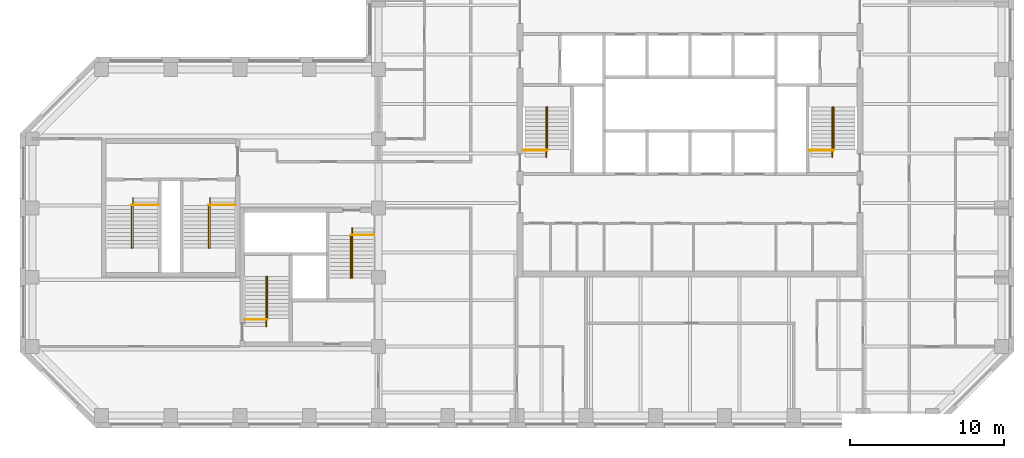
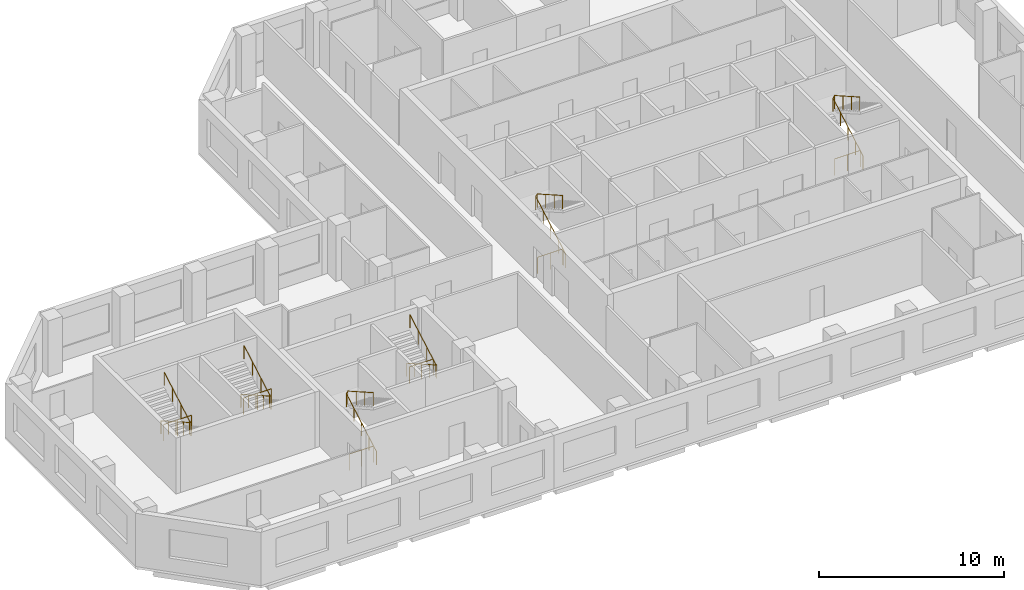
# One storey, part 10 of 10: 12 railings.
"""IFC4 building model written with IfcOpenShell, lengths in metres."""

import ifcopenshell
import ifcopenshell.guid

model = None  # the IFC model being written
_history = None  # IfcOwnerHistory: only IFC2X3 demands one
_inside = {}  # id of a spatial element -> (the spatial element, [elements in it])
_under = {}  # id of a project, library or spatial element -> (it, [spatial elements below it])
_declared = {}  # id of a project -> (the project, [libraries it declares])
_typed = {}  # id of a type object -> (the type object, [elements of that type])
_made_of = {}  # id of a material, layer set ... -> (it, [elements and type objects made of it])


def new_model(schema):
    """Start an empty IFC model of exactly this schema.

    Asked for "IFC4X3", IfcOpenShell would pick the latest addendum, in which some entities
    have other attributes; the version numbers below select the first issue.
    IFC2X3 requires an IfcOwnerHistory on every rooted entity: one is made here for all.
    """
    global model, _history
    if schema == "IFC4X3":
        model = ifcopenshell.file(schema_version=(4, 3, 0, 0))
    else:
        model = ifcopenshell.file(schema=schema)
    _inside.clear()
    _under.clear()
    _declared.clear()
    _typed.clear()
    _made_of.clear()
    _history = None
    if model.schema == "IFC2X3":
        org = make("IfcOrganization", Name="unknown")
        user = make(
            "IfcPersonAndOrganization",
            ThePerson=make("IfcPerson", FamilyName="unknown"),
            TheOrganization=org,
        )
        app = make(
            "IfcApplication",
            ApplicationDeveloper=org,
            Version="unknown",
            ApplicationFullName="unknown",
            ApplicationIdentifier="unknown",
        )
        _history = make(
            "IfcOwnerHistory",
            OwningUser=user,
            OwningApplication=app,
            ChangeAction="ADDED",
            CreationDate=0,
        )
    return model


def make(cls, **values):
    """One entity of the class cls with the attributes given. An attribute that is None is left unset."""
    return model.create_entity(
        cls, **{name: value for name, value in values.items() if value is not None}
    )


def rooted(cls, **values):
    """An entity with a GlobalId (a new one), such as an element, a storey or a relation."""
    return make(cls, GlobalId=ifcopenshell.guid.new(), OwnerHistory=_history, **values)


def si_unit(unit_type, name, prefix=None):
    """IfcSIUnit, for example si_unit("LENGTHUNIT", "METRE", prefix="MILLI")."""
    return make("IfcSIUnit", UnitType=unit_type, Prefix=prefix, Name=name)


def assignment(units):
    """IfcUnitAssignment: the units of a project."""
    return None if units is None else make("IfcUnitAssignment", Units=units)


def point(xyz):
    """IfcCartesianPoint."""
    return None if xyz is None else make("IfcCartesianPoint", Coordinates=xyz)


def direction(xyz):
    """IfcDirection."""
    return None if xyz is None else make("IfcDirection", DirectionRatios=xyz)


def frame(location, z_axis=None, x_axis=None):
    """IfcAxis2Placement3D, a coordinate frame: its origin and axes. An axis left out is left unset."""
    return make(
        "IfcAxis2Placement3D",
        Location=point(location),
        Axis=direction(z_axis),
        RefDirection=direction(x_axis),
    )


def frame_2d(location, x_axis=None):
    """IfcAxis2Placement2D, a coordinate frame in the plane: its origin and x axis."""
    return make(
        "IfcAxis2Placement2D", Location=point(location), RefDirection=direction(x_axis)
    )


def origin():
    """The frame at (0, 0, 0) with its axes left unset."""
    return frame((0.0, 0.0, 0.0))


def origin_2d():
    """The frame at (0, 0) in the plane with its x axis left unset."""
    return frame_2d((0.0, 0.0))


def place(relative_to, where):
    """IfcLocalPlacement: puts the frame where relative to a parent placement (None: the world)."""
    return make(
        "IfcLocalPlacement", PlacementRelTo=relative_to, RelativePlacement=where
    )


def context(
    kind, dimensions, precision=None, world=None, true_north=None, identifier=None
):
    """IfcGeometricRepresentationContext, for example the 3D "Model" context."""
    return make(
        "IfcGeometricRepresentationContext",
        ContextIdentifier=identifier,
        ContextType=kind,
        CoordinateSpaceDimension=dimensions,
        Precision=precision,
        WorldCoordinateSystem=world,
        TrueNorth=true_north,
    )


def subcontext(parent, identifier, kind, view, scale=None):
    """IfcGeometricRepresentationSubContext, for example "Body" below "Model"."""
    return make(
        "IfcGeometricRepresentationSubContext",
        ContextIdentifier=identifier,
        ContextType=kind,
        ParentContext=parent,
        TargetScale=scale,
        TargetView=view,
    )


def project(units=None, contexts=None):
    """IfcProject with its units and contexts."""
    return rooted(
        "IfcProject",
        Name="project",
        RepresentationContexts=contexts,
        UnitsInContext=assignment(units),
    )


def spatial(cls, under=None, at=None, **own):
    """A site, building, storey or space (cls), placed at a placement, below another one or the project."""
    s = rooted(cls, ObjectPlacement=at, **own)
    if under is not None:
        _under.setdefault(under.id(), (under, []))[1].append(s)
    return s


def profile(cls, at=None, kind="AREA", **sizes):
    """A parametric profile (cls). Its sizes go by their IFC names, for example OverallWidth=200.0."""
    return make(cls, ProfileType=kind, Position=at, **sizes)


def circle(**sizes):
    """IfcCircleProfileDef."""
    return profile("IfcCircleProfileDef", **sizes)


def extrude(swept, where, along, depth):
    """IfcExtrudedAreaSolid: the profile swept, set in the frame where, extruded along a direction by depth."""
    return make(
        "IfcExtrudedAreaSolid",
        SweptArea=swept,
        Position=where,
        ExtrudedDirection=direction(along),
        Depth=depth,
    )


def shape(context_of_items, identifier, shape_type, items):
    """IfcShapeRepresentation: the items that make up one representation, for example the "Body"."""
    return make(
        "IfcShapeRepresentation",
        ContextOfItems=context_of_items,
        RepresentationIdentifier=identifier,
        RepresentationType=shape_type,
        Items=items,
    )


def material(Name=None, Category=None):
    """IfcMaterial."""
    return make("IfcMaterial", Name=Name, Category=Category)


def made_of(thing, what):
    """Note that an element or type object is made of a material, layer set ...; save() writes the relation."""
    if what is not None:
        _made_of.setdefault(what.id(), (what, []))[1].append(thing)
    return thing


def type_object(cls, material=None, **own):
    """A type object (cls), such as IfcWallType, which elements share."""
    return made_of(rooted(cls, **own), material)


def element(
    cls,
    number,
    at=None,
    inside=None,
    cuts=None,
    type_object=None,
    material=None,
    context=None,
    identifier="Body",
    shape_type=None,
    held_by="IfcProductDefinitionShape",
    body=None,
    shapes=None,
    **own,
):
    """One element of the class cls, such as IfcWall. Its Tag is "e" and its number.

    at: its placement. inside: the storey or other place that contains it. cuts: it is an
    opening in that element (IfcRelVoidsElement). A single representation is given by context,
    identifier, shape_type and body (its items); several are given by shapes. held_by: the class
    of the entity that holds the representations. save() writes the other relations.
    """
    e = rooted(cls, Tag="e%d" % number, ObjectPlacement=at, **own)
    if body is not None:
        shapes = [shape(context, identifier, shape_type, body)]
    if shapes is not None:
        e.Representation = make(held_by, Representations=shapes)
    if inside is not None:
        _inside.setdefault(inside.id(), (inside, []))[1].append(e)
    if cuts is not None:
        rooted(
            "IfcRelVoidsElement", RelatingBuildingElement=cuts, RelatedOpeningElement=e
        )
    if type_object is not None:
        _typed.setdefault(type_object.id(), (type_object, []))[1].append(e)
    return made_of(e, material)


def aggregate(whole, parts):
    """IfcRelAggregates: a whole, such as a stair, and the parts it consists of."""
    return rooted("IfcRelAggregates", RelatingObject=whole, RelatedObjects=parts)


def save(model, path):
    """Write the relations noted so far, then the file.

    IfcRelAggregates (storeys below a building ...), IfcRelContainedInSpatialStructure (elements
    in a storey), IfcRelDefinesByType, IfcRelAssociatesMaterial and IfcRelDeclares: one each for
    every whole, place, type object, material and project.
    """
    for whole, parts in _under.values():
        aggregate(whole, parts)
    for where, things in _inside.values():
        rooted(
            "IfcRelContainedInSpatialStructure",
            RelatedElements=things,
            RelatingStructure=where,
        )
    for kind, things in _typed.values():
        rooted("IfcRelDefinesByType", RelatedObjects=things, RelatingType=kind)
    for what, things in _made_of.values():
        rooted("IfcRelAssociatesMaterial", RelatedObjects=things, RelatingMaterial=what)
    for by, libraries in _declared.values():
        rooted("IfcRelDeclares", RelatingContext=by, RelatedDefinitions=libraries)
    model.write(path)


model = new_model("IFC4")

# Units and contexts
model_context = context("Model", 3, precision=1e-05, world=origin(), true_north=direction((0.0, 1.0)))
body_context = subcontext(model_context, "Body", "Model", "MODEL_VIEW")
ifc_project = project(units=[si_unit("LENGTHUNIT", "METRE"), si_unit("AREAUNIT", "SQUARE_METRE"), si_unit("VOLUMEUNIT", "CUBIC_METRE"), si_unit("PLANEANGLEUNIT", "RADIAN"), si_unit("MASSUNIT", "GRAM", prefix="KILO")], contexts=[model_context])

# Site, building, storey
site_placement = place(None, origin())
site = spatial("IfcSite", under=ifc_project, at=site_placement, CompositionType="ELEMENT")
building_placement = place(site_placement, origin())
building = spatial("IfcBuilding", under=site, at=building_placement, Name="Quoin Convention Tower", CompositionType="ELEMENT")
storey_placement = place(building_placement, frame((0.0, 0.0, 256.300048828125)))
storey = spatial("IfcBuildingStorey", under=building, at=storey_placement, Name="L67", CompositionType="ELEMENT", Elevation=256.300048828125)

# Railings
ifc_material = material(Name="Stainless steel", Category="steel")
railing_type_1 = type_object("IfcRailingType", Name="Stair handrail 900", PredefinedType="HANDRAIL", material=ifc_material)
railing_1_placement = place(storey_placement, frame((46.905029296875, 57.300048828125, 0.142333984375)))
element("IfcRailing", 1, at=railing_1_placement, inside=storey, type_object=railing_type_1, Name="SD1 handrail 1", PredefinedType="HANDRAIL", context=body_context, shape_type="SweptSolid", body=[
    extrude(circle(Radius=0.02392578125, at=origin_2d()), frame((0.0, 0.0, 0.8759765625), z_axis=(0.0, 0.869081571614, 0.494668800189), x_axis=(-1.0, 0.0, 0.0)), (0.0, 0.0, 1.0), 3.739501953125),
    extrude(circle(Radius=0.02392578125, at=origin_2d()), frame((0.0, 3.25, 2.7255859375), z_axis=(0.53481069233, 0.0, 0.844971906852), x_axis=(0.0, 1.0, 0.0)), (0.0, 0.0, 1.0), 0.16845703125),
    extrude(circle(Radius=0.02392578125, at=origin_2d()), frame((0.090087890625, 3.25, 2.8681640625), z_axis=(0.0, -0.869058607571, 0.494709143443), x_axis=(1.0, 0.0, 0.0)), (0.0, 0.0, 1.0), 3.164306640625),
    extrude(circle(Radius=0.02099609375, at=origin_2d()), origin(), (0.0, 0.0, 1.0), 0.851806640625),
    extrude(circle(Radius=0.02099609375, at=origin_2d()), frame((0.0, 0.8125, 0.46240234375)), (0.0, 0.0, 1.0), 0.851806640625),
    extrude(circle(Radius=0.02099609375, at=origin_2d()), frame((0.0, 1.625, 0.9248046875)), (0.0, 0.0, 1.0), 0.851806640625),
    extrude(circle(Radius=0.02099609375, at=origin_2d()), frame((0.0, 2.4375, 1.387451171875)), (0.0, 0.0, 1.0), 0.851806640625),
    extrude(circle(Radius=0.02099609375, at=origin_2d()), frame((0.0, 3.25, 1.849853515625)), (0.0, 0.0, 1.0), 0.851806640625),
    extrude(circle(Radius=0.02099609375, at=origin_2d()), frame((0.090087890625, 3.25, 1.9921875)), (0.0, 0.0, 1.0), 0.851806640625),
    extrude(circle(Radius=0.02099609375, at=origin_2d()), frame((0.090087890625, 2.333251953125, 2.513916015625)), (0.0, 0.0, 1.0), 0.851806640625),
    extrude(circle(Radius=0.02099609375, at=origin_2d()), frame((0.090087890625, 1.416748046875, 3.035888671875)), (0.0, 0.0, 1.0), 0.851806640625),
    extrude(circle(Radius=0.02099609375, at=origin_2d()), frame((0.090087890625, 0.5, 3.5576171875)), (0.0, 0.0, 1.0), 0.851806640625),
])
railing_2_placement = place(storey_placement, frame((65.5048828125, 57.300048828125, 0.142333984375)))
element("IfcRailing", 2, at=railing_2_placement, inside=storey, type_object=railing_type_1, Name="SD2 handrail 1", PredefinedType="HANDRAIL", context=body_context, shape_type="SweptSolid", body=[
    extrude(circle(Radius=0.02392578125, at=origin_2d()), frame((0.0, 0.0, 0.8759765625), z_axis=(0.0, 0.869081571614, 0.494668800189), x_axis=(-1.0, 0.0, 0.0)), (0.0, 0.0, 1.0), 3.739501953125),
    extrude(circle(Radius=0.02392578125, at=origin_2d()), frame((0.0, 3.25, 2.7255859375), z_axis=(0.53481069233, 0.0, 0.844971906852), x_axis=(0.0, 1.0, 0.0)), (0.0, 0.0, 1.0), 0.16845703125),
    extrude(circle(Radius=0.02392578125, at=origin_2d()), frame((0.090087890625, 3.25, 2.8681640625), z_axis=(0.0, -0.869058607571, 0.494709143443), x_axis=(1.0, 0.0, 0.0)), (0.0, 0.0, 1.0), 3.164306640625),
    extrude(circle(Radius=0.02099609375, at=origin_2d()), origin(), (0.0, 0.0, 1.0), 0.851806640625),
    extrude(circle(Radius=0.02099609375, at=origin_2d()), frame((0.0, 0.8125, 0.46240234375)), (0.0, 0.0, 1.0), 0.851806640625),
    extrude(circle(Radius=0.02099609375, at=origin_2d()), frame((0.0, 1.625, 0.9248046875)), (0.0, 0.0, 1.0), 0.851806640625),
    extrude(circle(Radius=0.02099609375, at=origin_2d()), frame((0.0, 2.4375, 1.387451171875)), (0.0, 0.0, 1.0), 0.851806640625),
    extrude(circle(Radius=0.02099609375, at=origin_2d()), frame((0.0, 3.25, 1.849853515625)), (0.0, 0.0, 1.0), 0.851806640625),
    extrude(circle(Radius=0.02099609375, at=origin_2d()), frame((0.090087890625, 3.25, 1.9921875)), (0.0, 0.0, 1.0), 0.851806640625),
    extrude(circle(Radius=0.02099609375, at=origin_2d()), frame((0.090087890625, 2.333251953125, 2.513916015625)), (0.0, 0.0, 1.0), 0.851806640625),
    extrude(circle(Radius=0.02099609375, at=origin_2d()), frame((0.090087890625, 1.416748046875, 3.035888671875)), (0.0, 0.0, 1.0), 0.851806640625),
    extrude(circle(Radius=0.02099609375, at=origin_2d()), frame((0.090087890625, 0.5, 3.5576171875)), (0.0, 0.0, 1.0), 0.851806640625),
])
railing_3_placement = place(storey_placement, frame((28.705078125, 46.300048828125, 0.142333984375)))
element("IfcRailing", 3, at=railing_3_placement, inside=storey, type_object=railing_type_1, Name="SD3 handrail 1", PredefinedType="HANDRAIL", context=body_context, shape_type="SweptSolid", body=[
    extrude(circle(Radius=0.02392578125, at=origin_2d()), frame((0.0, 0.0, 0.8759765625), z_axis=(0.0, 0.869081571614, 0.494668800189), x_axis=(-1.0, 0.0, 0.0)), (0.0, 0.0, 1.0), 3.739501953125),
    extrude(circle(Radius=0.02392578125, at=origin_2d()), frame((0.0, 3.25, 2.7255859375), z_axis=(0.533774684331, 0.0, 0.845626741753), x_axis=(0.0, 1.0, 0.0)), (0.0, 0.0, 1.0), 0.168212890625),
    extrude(circle(Radius=0.02392578125, at=origin_2d()), frame((0.08984375, 3.25, 2.8681640625), z_axis=(0.0, -0.869058607571, 0.494709143443), x_axis=(1.0, 0.0, 0.0)), (0.0, 0.0, 1.0), 3.164306640625),
    extrude(circle(Radius=0.02099609375, at=origin_2d()), origin(), (0.0, 0.0, 1.0), 0.851806640625),
    extrude(circle(Radius=0.02099609375, at=origin_2d()), frame((0.0, 0.8125, 0.46240234375)), (0.0, 0.0, 1.0), 0.851806640625),
    extrude(circle(Radius=0.02099609375, at=origin_2d()), frame((0.0, 1.625, 0.9248046875)), (0.0, 0.0, 1.0), 0.851806640625),
    extrude(circle(Radius=0.02099609375, at=origin_2d()), frame((0.0, 2.4375, 1.387451171875)), (0.0, 0.0, 1.0), 0.851806640625),
    extrude(circle(Radius=0.02099609375, at=origin_2d()), frame((0.0, 3.25, 1.849853515625)), (0.0, 0.0, 1.0), 0.851806640625),
    extrude(circle(Radius=0.02099609375, at=origin_2d()), frame((0.08984375, 3.25, 1.9921875)), (0.0, 0.0, 1.0), 0.851806640625),
    extrude(circle(Radius=0.02099609375, at=origin_2d()), frame((0.08984375, 2.333251953125, 2.513916015625)), (0.0, 0.0, 1.0), 0.851806640625),
    extrude(circle(Radius=0.02099609375, at=origin_2d()), frame((0.08984375, 1.416748046875, 3.035888671875)), (0.0, 0.0, 1.0), 0.851806640625),
    extrude(circle(Radius=0.02099609375, at=origin_2d()), frame((0.08984375, 0.5, 3.5576171875)), (0.0, 0.0, 1.0), 0.851806640625),
])
railing_4_placement = place(storey_placement, frame((34.294921875, 52.699951171875, 0.142333984375)))
element("IfcRailing", 4, at=railing_4_placement, inside=storey, type_object=railing_type_1, Name="SD4 handrail 1", PredefinedType="HANDRAIL", context=body_context, shape_type="SweptSolid", body=[
    extrude(circle(Radius=0.02392578125, at=origin_2d()), frame((0.0, 0.0, 0.8759765625), z_axis=(0.0, -0.869081571614, 0.494668800189), x_axis=(1.0, 0.0, 0.0)), (0.0, 0.0, 1.0), 3.739501953125),
    extrude(circle(Radius=0.02392578125, at=origin_2d()), frame((0.0, -3.25, 2.7255859375), z_axis=(-0.533774684331, 0.0, 0.845626741753), x_axis=(0.0, -1.0, 0.0)), (0.0, 0.0, 1.0), 0.168212890625),
    extrude(circle(Radius=0.02392578125, at=origin_2d()), frame((-0.08984375, -3.25, 2.8681640625), z_axis=(0.0, 0.869058607571, 0.494709143443), x_axis=(-1.0, 0.0, 0.0)), (0.0, 0.0, 1.0), 3.164306640625),
    extrude(circle(Radius=0.02099609375, at=origin_2d()), origin(), (0.0, 0.0, 1.0), 0.851806640625),
    extrude(circle(Radius=0.02099609375, at=origin_2d()), frame((0.0, -0.8125, 0.46240234375)), (0.0, 0.0, 1.0), 0.851806640625),
    extrude(circle(Radius=0.02099609375, at=origin_2d()), frame((0.0, -1.625, 0.9248046875)), (0.0, 0.0, 1.0), 0.851806640625),
    extrude(circle(Radius=0.02099609375, at=origin_2d()), frame((0.0, -2.4375, 1.387451171875)), (0.0, 0.0, 1.0), 0.851806640625),
    extrude(circle(Radius=0.02099609375, at=origin_2d()), frame((0.0, -3.25, 1.849853515625)), (0.0, 0.0, 1.0), 0.851806640625),
    extrude(circle(Radius=0.02099609375, at=origin_2d()), frame((-0.08984375, -3.25, 1.9921875)), (0.0, 0.0, 1.0), 0.851806640625),
    extrude(circle(Radius=0.02099609375, at=origin_2d()), frame((-0.08984375, -2.333251953125, 2.513916015625)), (0.0, 0.0, 1.0), 0.851806640625),
    extrude(circle(Radius=0.02099609375, at=origin_2d()), frame((-0.08984375, -1.416748046875, 3.035888671875)), (0.0, 0.0, 1.0), 0.851806640625),
    extrude(circle(Radius=0.02099609375, at=origin_2d()), frame((-0.08984375, -0.5, 3.5576171875)), (0.0, 0.0, 1.0), 0.851806640625),
])
railing_5_placement = place(storey_placement, frame((20.044921875, 54.64990234375, 0.142333984375)))
element("IfcRailing", 5, at=railing_5_placement, inside=storey, type_object=railing_type_1, Name="SD11 handrail 1", PredefinedType="HANDRAIL", context=body_context, shape_type="SweptSolid", body=[
    extrude(circle(Radius=0.02392578125, at=origin_2d()), frame((0.0, 0.0, 0.8759765625), z_axis=(0.0, -0.869081571614, 0.494668800189), x_axis=(1.0, 0.0, 0.0)), (0.0, 0.0, 1.0), 3.739501953125),
    extrude(circle(Radius=0.02392578125, at=origin_2d()), frame((0.0, -3.25, 2.7255859375), z_axis=(-0.533774684331, 0.0, 0.845626741753), x_axis=(0.0, -1.0, 0.0)), (0.0, 0.0, 1.0), 0.168212890625),
    extrude(circle(Radius=0.02392578125, at=origin_2d()), frame((-0.08984375, -3.25, 2.8681640625), z_axis=(0.0, 0.869058607571, 0.494709143443), x_axis=(-1.0, 0.0, 0.0)), (0.0, 0.0, 1.0), 3.164306640625),
    extrude(circle(Radius=0.02099609375, at=origin_2d()), origin(), (0.0, 0.0, 1.0), 0.851806640625),
    extrude(circle(Radius=0.02099609375, at=origin_2d()), frame((0.0, -0.8125, 0.46240234375)), (0.0, 0.0, 1.0), 0.851806640625),
    extrude(circle(Radius=0.02099609375, at=origin_2d()), frame((0.0, -1.625, 0.9248046875)), (0.0, 0.0, 1.0), 0.851806640625),
    extrude(circle(Radius=0.02099609375, at=origin_2d()), frame((0.0, -2.4375, 1.387451171875)), (0.0, 0.0, 1.0), 0.851806640625),
    extrude(circle(Radius=0.02099609375, at=origin_2d()), frame((0.0, -3.25, 1.849853515625)), (0.0, 0.0, 1.0), 0.851806640625),
    extrude(circle(Radius=0.02099609375, at=origin_2d()), frame((-0.08984375, -3.25, 1.9921875)), (0.0, 0.0, 1.0), 0.851806640625),
    extrude(circle(Radius=0.02099609375, at=origin_2d()), frame((-0.08984375, -2.333251953125, 2.513916015625)), (0.0, 0.0, 1.0), 0.851806640625),
    extrude(circle(Radius=0.02099609375, at=origin_2d()), frame((-0.08984375, -1.416748046875, 3.035888671875)), (0.0, 0.0, 1.0), 0.851806640625),
    extrude(circle(Radius=0.02099609375, at=origin_2d()), frame((-0.08984375, -0.5, 3.5576171875)), (0.0, 0.0, 1.0), 0.851806640625),
])
railing_6_placement = place(storey_placement, frame((25.044921875, 54.64990234375, 0.142333984375)))
element("IfcRailing", 6, at=railing_6_placement, inside=storey, type_object=railing_type_1, Name="SD12 handrail 1", PredefinedType="HANDRAIL", context=body_context, shape_type="SweptSolid", body=[
    extrude(circle(Radius=0.02392578125, at=origin_2d()), frame((0.0, 0.0, 0.8759765625), z_axis=(0.0, -0.869081571614, 0.494668800189), x_axis=(1.0, 0.0, 0.0)), (0.0, 0.0, 1.0), 3.739501953125),
    extrude(circle(Radius=0.02392578125, at=origin_2d()), frame((0.0, -3.25, 2.7255859375), z_axis=(-0.533774684331, 0.0, 0.845626741753), x_axis=(0.0, -1.0, 0.0)), (0.0, 0.0, 1.0), 0.168212890625),
    extrude(circle(Radius=0.02392578125, at=origin_2d()), frame((-0.08984375, -3.25, 2.8681640625), z_axis=(0.0, 0.869058607571, 0.494709143443), x_axis=(-1.0, 0.0, 0.0)), (0.0, 0.0, 1.0), 3.164306640625),
    extrude(circle(Radius=0.02099609375, at=origin_2d()), origin(), (0.0, 0.0, 1.0), 0.851806640625),
    extrude(circle(Radius=0.02099609375, at=origin_2d()), frame((0.0, -0.8125, 0.46240234375)), (0.0, 0.0, 1.0), 0.851806640625),
    extrude(circle(Radius=0.02099609375, at=origin_2d()), frame((0.0, -1.625, 0.9248046875)), (0.0, 0.0, 1.0), 0.851806640625),
    extrude(circle(Radius=0.02099609375, at=origin_2d()), frame((0.0, -2.4375, 1.387451171875)), (0.0, 0.0, 1.0), 0.851806640625),
    extrude(circle(Radius=0.02099609375, at=origin_2d()), frame((0.0, -3.25, 1.849853515625)), (0.0, 0.0, 1.0), 0.851806640625),
    extrude(circle(Radius=0.02099609375, at=origin_2d()), frame((-0.08984375, -3.25, 1.9921875)), (0.0, 0.0, 1.0), 0.851806640625),
    extrude(circle(Radius=0.02099609375, at=origin_2d()), frame((-0.08984375, -2.333251953125, 2.513916015625)), (0.0, 0.0, 1.0), 0.851806640625),
    extrude(circle(Radius=0.02099609375, at=origin_2d()), frame((-0.08984375, -1.416748046875, 3.035888671875)), (0.0, 0.0, 1.0), 0.851806640625),
    extrude(circle(Radius=0.02099609375, at=origin_2d()), frame((-0.08984375, -0.5, 3.5576171875)), (0.0, 0.0, 1.0), 0.851806640625),
])
railing_type_2 = type_object("IfcRailingType", Name="Stair top guard 1100", PredefinedType="GUARDRAIL", material=ifc_material)
railing_7_placement = place(storey_placement, frame((45.39990234375, 57.75, 0.0)))
element("IfcRailing", 7, at=railing_7_placement, inside=storey, type_object=railing_type_2, Name="SD1 top guard", PredefinedType="GUARDRAIL", context=body_context, shape_type="SweptSolid", body=[
    extrude(circle(Radius=0.02392578125, at=origin_2d()), frame((0.0, 0.0, 1.076171875), z_axis=(1.0, 0.0, 0.0), x_axis=(0.0, 1.0, 0.0)), (0.0, 0.0, 1.0), 1.59521484375),
    extrude(circle(Radius=0.02099609375, at=origin_2d()), origin(), (0.0, 0.0, 1.0), 1.052001953125),
    extrude(circle(Radius=0.02099609375, at=origin_2d()), frame((0.797607421875, 0.0, 0.0)), (0.0, 0.0, 1.0), 1.052001953125),
    extrude(circle(Radius=0.02099609375, at=origin_2d()), frame((1.59521484375, 0.0, 0.0)), (0.0, 0.0, 1.0), 1.052001953125),
])
railing_8_placement = place(storey_placement, frame((64.0, 57.75, 0.0)))
element("IfcRailing", 8, at=railing_8_placement, inside=storey, type_object=railing_type_2, Name="SD2 top guard", PredefinedType="GUARDRAIL", context=body_context, shape_type="SweptSolid", body=[
    extrude(circle(Radius=0.02392578125, at=origin_2d()), frame((0.0, 0.0, 1.076171875), z_axis=(1.0, 0.0, 0.0), x_axis=(0.0, 1.0, 0.0)), (0.0, 0.0, 1.0), 1.594970703125),
    extrude(circle(Radius=0.02099609375, at=origin_2d()), origin(), (0.0, 0.0, 1.0), 1.052001953125),
    extrude(circle(Radius=0.02099609375, at=origin_2d()), frame((0.79736328125, 0.0, 0.0)), (0.0, 0.0, 1.0), 1.052001953125),
    extrude(circle(Radius=0.02099609375, at=origin_2d()), frame((1.594970703125, 0.0, 0.0)), (0.0, 0.0, 1.0), 1.052001953125),
])
railing_9_placement = place(storey_placement, frame((27.300048828125, 46.75, 0.0)))
element("IfcRailing", 9, at=railing_9_placement, inside=storey, type_object=railing_type_2, Name="SD3 top guard", PredefinedType="GUARDRAIL", context=body_context, shape_type="SweptSolid", body=[
    extrude(circle(Radius=0.02392578125, at=origin_2d()), frame((0.0, 0.0, 1.076171875), z_axis=(1.0, 0.0, 0.0), x_axis=(0.0, 1.0, 0.0)), (0.0, 0.0, 1.0), 1.494873046875),
    extrude(circle(Radius=0.02099609375, at=origin_2d()), origin(), (0.0, 0.0, 1.0), 1.052001953125),
    extrude(circle(Radius=0.02099609375, at=origin_2d()), frame((0.74755859375, 0.0, 0.0)), (0.0, 0.0, 1.0), 1.052001953125),
    extrude(circle(Radius=0.02099609375, at=origin_2d()), frame((1.494873046875, 0.0, 0.0)), (0.0, 0.0, 1.0), 1.052001953125),
])
railing_10_placement = place(storey_placement, frame((35.699951171875, 52.25, 0.0)))
element("IfcRailing", 10, at=railing_10_placement, inside=storey, type_object=railing_type_2, Name="SD4 top guard", PredefinedType="GUARDRAIL", context=body_context, shape_type="SweptSolid", body=[
    extrude(circle(Radius=0.02392578125, at=origin_2d()), frame((0.0, 0.0, 1.076171875), z_axis=(-1.0, 0.0, 0.0), x_axis=(0.0, -1.0, 0.0)), (0.0, 0.0, 1.0), 1.494873046875),
    extrude(circle(Radius=0.02099609375, at=origin_2d()), origin(), (0.0, 0.0, 1.0), 1.052001953125),
    extrude(circle(Radius=0.02099609375, at=origin_2d()), frame((-0.74755859375, 0.0, 0.0)), (0.0, 0.0, 1.0), 1.052001953125),
    extrude(circle(Radius=0.02099609375, at=origin_2d()), frame((-1.494873046875, 0.0, 0.0)), (0.0, 0.0, 1.0), 1.052001953125),
])
for number, where, name in (
    (11, (21.699951171875, 54.199951171875, 0.0), "SD11 top guard"),
    (12, (26.699951171875, 54.199951171875, 0.0), "SD12 top guard"),
):
    element("IfcRailing", number, at=place(storey_placement, frame(where)), inside=storey, type_object=railing_type_2, Name=name, PredefinedType="GUARDRAIL", context=body_context, shape_type="SweptSolid", body=[
        extrude(circle(Radius=0.02392578125, at=origin_2d()), frame((0.0, 0.0, 1.076171875), z_axis=(-1.0, 0.0, 0.0), x_axis=(0.0, -1.0, 0.0)), (0.0, 0.0, 1.0), 1.744873046875),
        extrude(circle(Radius=0.02099609375, at=origin_2d()), origin(), (0.0, 0.0, 1.0), 1.052001953125),
        extrude(circle(Radius=0.02099609375, at=origin_2d()), frame((-0.87255859375, 0.0, 0.0)), (0.0, 0.0, 1.0), 1.052001953125),
        extrude(circle(Radius=0.02099609375, at=origin_2d()), frame((-1.744873046875, 0.0, 0.0)), (0.0, 0.0, 1.0), 1.052001953125),
    ])

save(model, "model.ifc")
